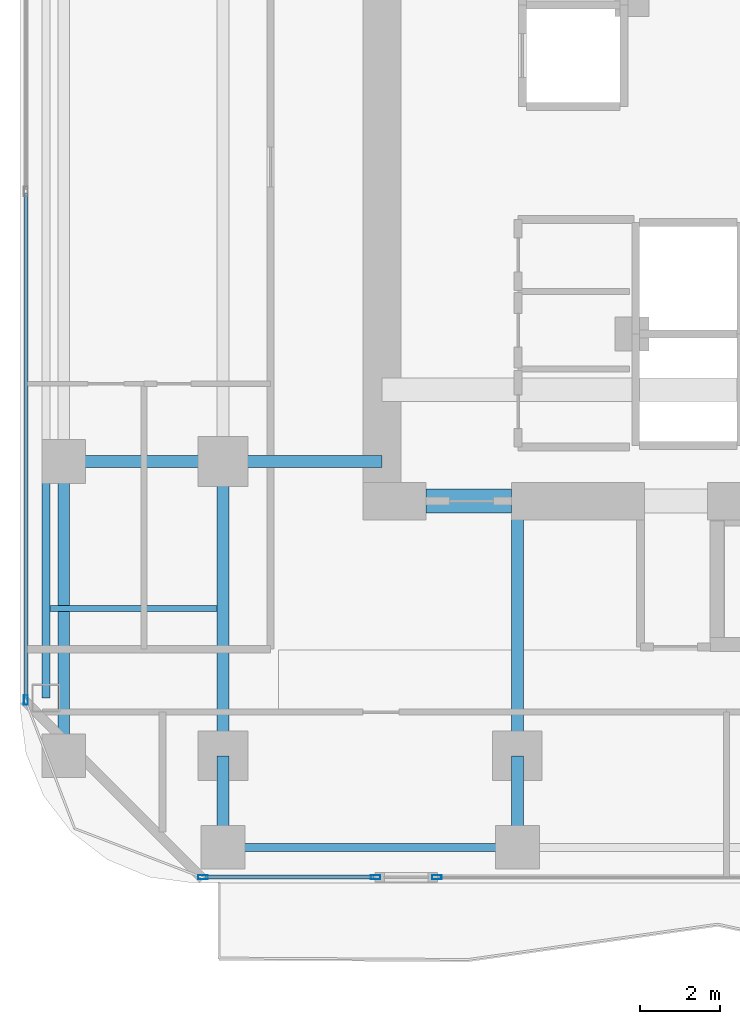
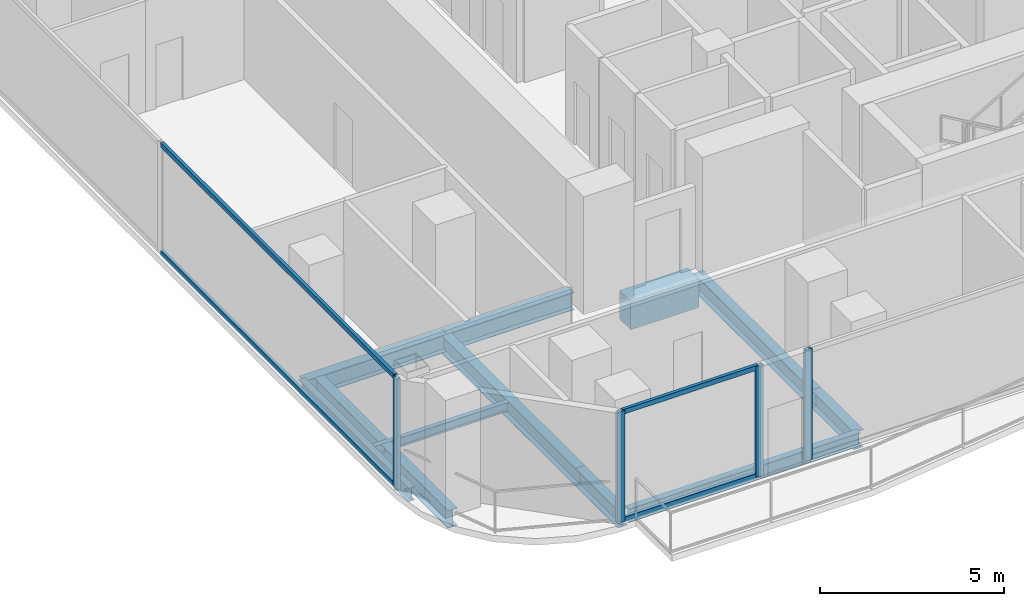
# One storey, part 2 of 27: 11 beams, 8 members, 3 elements without a shape of their own.
"""IFC4 building model written with IfcOpenShell, lengths in metres."""

from ifc_helpers import new_model, si_unit, direction, frame, origin, origin_2d, place, context, subcontext, project, spatial, rectangle, hollow_rectangle, i_section, extrude, material, layer, layer_set, material_profile, profile_set, type_object, element, aggregate, save


model = new_model("IFC4")

# Units and contexts
model_context = context("Model", 3, precision=1e-05, world=origin(), true_north=direction((0.0, 1.0)))
body_context = subcontext(model_context, "Body", "Model", "MODEL_VIEW")
ifc_project = project(units=[si_unit("LENGTHUNIT", "METRE"), si_unit("AREAUNIT", "SQUARE_METRE"), si_unit("VOLUMEUNIT", "CUBIC_METRE"), si_unit("PLANEANGLEUNIT", "RADIAN"), si_unit("MASSUNIT", "GRAM", prefix="KILO")], contexts=[model_context])

# Site, building, storey
site_placement = place(None, origin())
site = spatial("IfcSite", under=ifc_project, at=site_placement, CompositionType="ELEMENT")
building_placement = place(site_placement, origin())
building = spatial("IfcBuilding", under=site, at=building_placement, Name="Khorvyn Point Tower", CompositionType="ELEMENT")
storey_placement = place(building_placement, frame((0.0, 0.0, 125.10009765625)))
storey = spatial("IfcBuildingStorey", under=building, at=storey_placement, Name="L31", CompositionType="ELEMENT", Elevation=125.10009765625)

# Curtain wall, member
ifc_material_1 = material(Name="Anodised aluminium 6063-T6 and laminated Low-E glass", Category="aluminium")
ifc_layer = layer(ifc_material_1, 0.18994140625)
ifc_layer_set = layer_set([ifc_layer], Name="Stick-Built Acoustic Curtain Wall CW-SYS-03")
curtain_wall_type = type_object("IfcCurtainWallType", Name="Stick-Built Acoustic Curtain Wall CW-SYS-03", PredefinedType="NOTDEFINED", material=ifc_layer_set)
curtain_wall_1_placement = place(storey_placement, origin())
curtain_wall_1 = element("IfcCurtainWall", 1, at=curtain_wall_1_placement, inside=storey, type_object=curtain_wall_type, Name="Curtain Wall", PredefinedType="NOTDEFINED")
ifc_material_2 = material(Name="Anodised aluminium 6063-T6", Category="aluminium")
ifc_material_profile_1 = material_profile(ifc_material_2, hollow_rectangle(XDim=0.10009765625, YDim=0.239990234375, WallThickness=0.0048828125, at=origin_2d()))
ifc_profile_set_1 = profile_set([ifc_material_profile_1], Name="Anodised aluminium 6063-T6 ALU-MUL-100x240")
member_type_1 = type_object("IfcMemberType", Name="Anodised Aluminium 6063-T6 Mullion ALU-MUL-100x240", PredefinedType="MULLION", material=ifc_profile_set_1)
member_1_placement = place(storey_placement, frame((-9.423095703125, -17.85009765625, 0.0), z_axis=(0.0, 0.0, 1.0), x_axis=(0.0, -1.0, 0.0)))
member_1 = element("IfcMember", 2, at=member_1_placement, type_object=member_type_1, Name="Transom", PredefinedType="MULLION", context=body_context, shape_type="SweptSolid", body=[
    extrude(hollow_rectangle(XDim=0.10009765625, YDim=0.239990234375, WallThickness=0.0048828125, at=origin_2d()), origin(), (0.0, 0.0, 1.0), 3.679931640625),
])
aggregate(curtain_wall_1, [member_1])

# Curtain wall, members
curtain_wall_2_placement = place(storey_placement, origin())
curtain_wall_2 = element("IfcCurtainWall", 3, at=curtain_wall_2_placement, inside=storey, type_object=curtain_wall_type, Name="Curtain Wall", PredefinedType="NOTDEFINED")
member_2_placement = place(storey_placement, frame((-10.962890625, -17.85009765625, 0.0), z_axis=(0.0, 0.0, 1.0), x_axis=(0.0, -1.0, 0.0)))
member_2 = element("IfcMember", 4, at=member_2_placement, type_object=member_type_1, Name="Transom", PredefinedType="MULLION", context=body_context, shape_type="SweptSolid", body=[
    extrude(hollow_rectangle(XDim=0.10009765625, YDim=0.239990234375, WallThickness=0.0048828125, at=origin_2d()), origin(), (0.0, 0.0, 1.0), 3.679931640625),
])
member_3_placement = place(storey_placement, frame((-15.300048828125, -17.85009765625, 0.0), z_axis=(0.0, 0.0, 1.0), x_axis=(0.0, -1.0, 0.0)))
member_3 = element("IfcMember", 5, at=member_3_placement, type_object=member_type_1, Name="Transom", PredefinedType="MULLION", context=body_context, shape_type="SweptSolid", body=[
    extrude(hollow_rectangle(XDim=0.10009765625, YDim=0.239990234375, WallThickness=0.0048828125, at=origin_2d()), origin(), (0.0, 0.0, 1.0), 3.679931640625),
])

# Curtain wall, member
curtain_wall_3_placement = place(storey_placement, origin())
curtain_wall_3 = element("IfcCurtainWall", 6, at=curtain_wall_3_placement, inside=storey, type_object=curtain_wall_type, Name="Curtain Wall", PredefinedType="NOTDEFINED")
member_4_placement = place(storey_placement, frame((-19.75, -13.39990234375, 0.0), z_axis=(0.0, 0.0, 1.0), x_axis=(-1.0, 0.0, 0.0)))
member_4 = element("IfcMember", 7, at=member_4_placement, type_object=member_type_1, Name="Transom", PredefinedType="MULLION", context=body_context, shape_type="SweptSolid", body=[
    extrude(hollow_rectangle(XDim=0.10009765625, YDim=0.239990234375, WallThickness=0.0048828125, at=origin_2d()), origin(), (0.0, 0.0, 1.0), 3.679931640625),
])

# Member
ifc_material_profile_2 = material_profile(ifc_material_2, hollow_rectangle(XDim=0.10009765625, YDim=0.159912109375, WallThickness=0.00439453125, at=origin_2d()))
ifc_profile_set_2 = profile_set([ifc_material_profile_2], Name="Anodised aluminium 6063-T6 ALU-TRN-100x160")
member_type_2 = type_object("IfcMemberType", Name="Anodised Aluminium 6063-T6 Transom ALU-TRN-100x160", PredefinedType="USERDEFINED", material=ifc_profile_set_2)
member_5_placement = place(storey_placement, frame((-11.012939453125, -17.85009765625, 0.0498046875), z_axis=(-1.0, 0.0, 0.0), x_axis=(0.0, -1.0, 0.0)))
member_5 = element("IfcMember", 8, at=member_5_placement, type_object=member_type_2, Name="Transom", ObjectType="TRANSOM", PredefinedType="USERDEFINED", context=body_context, shape_type="SweptSolid", body=[
    extrude(hollow_rectangle(XDim=0.10009765625, YDim=0.159912109375, WallThickness=0.00439453125, at=origin_2d()), origin(), (0.0, 0.0, 1.0), 4.237060546875),
])

member_6_placement = place(storey_placement, frame((-11.012939453125, -17.85009765625, 3.6298828125), z_axis=(-1.0, 0.0, 0.0), x_axis=(0.0, -1.0, 0.0)))
member_6 = element("IfcMember", 9, at=member_6_placement, type_object=member_type_2, Name="Transom", ObjectType="TRANSOM", PredefinedType="USERDEFINED", context=body_context, shape_type="SweptSolid", body=[
    extrude(hollow_rectangle(XDim=0.10009765625, YDim=0.159912109375, WallThickness=0.00439453125, at=origin_2d()), origin(), (0.0, 0.0, 1.0), 4.237060546875),
])

aggregate(curtain_wall_2, [member_2, member_3, member_5, member_6])

member_7_placement = place(storey_placement, frame((-19.75, -13.35009765625, 0.0498046875), z_axis=(0.0, 1.0, 0.0), x_axis=(-1.0, 0.0, 0.0)))
member_7 = element("IfcMember", 10, at=member_7_placement, type_object=member_type_2, Name="Transom", ObjectType="TRANSOM", PredefinedType="USERDEFINED", context=body_context, shape_type="SweptSolid", body=[
    extrude(hollow_rectangle(XDim=0.10009765625, YDim=0.159912109375, WallThickness=0.00439453125, at=origin_2d()), origin(), (0.0, 0.0, 1.0), 12.683349609375),
])

member_8_placement = place(storey_placement, frame((-19.75, -13.35009765625, 3.6298828125), z_axis=(0.0, 1.0, 0.0), x_axis=(-1.0, 0.0, 0.0)))
member_8 = element("IfcMember", 11, at=member_8_placement, type_object=member_type_2, Name="Transom", ObjectType="TRANSOM", PredefinedType="USERDEFINED", context=body_context, shape_type="SweptSolid", body=[
    extrude(hollow_rectangle(XDim=0.10009765625, YDim=0.159912109375, WallThickness=0.00439453125, at=origin_2d()), origin(), (0.0, 0.0, 1.0), 12.683349609375),
])

aggregate(curtain_wall_3, [member_4, member_7, member_8])

# Beams
ifc_material_3 = material(Name="Concrete C50/60", Category="concrete")
ifc_material_profile_3 = material_profile(ifc_material_3, rectangle(XDim=0.60009765625, YDim=0.949951171875, at=origin_2d()))
ifc_profile_set_3 = profile_set([ifc_material_profile_3], Name="Concrete C50/60 RC600x950")
beam_type_1 = type_object("IfcBeamType", Name="Concrete C50/60 Beam RC600x950", PredefinedType="BEAM", material=ifc_profile_set_3)
beam_1_placement = place(storey_placement, frame((-9.699951171875, -8.39990234375, -0.695068359375), z_axis=(1.0, 0.0, 0.0), x_axis=(0.0, 1.0, 0.0)))
element("IfcBeam", 12, at=beam_1_placement, inside=storey, type_object=beam_type_1, Name="L31 Core Southwest Portal Coupling Beam", PredefinedType="BEAM", context=body_context, shape_type="SweptSolid", body=[
    extrude(rectangle(XDim=0.60009765625, YDim=0.949951171875, at=origin_2d()), origin(), (0.0, 0.0, 1.0), 2.14990234375),
])
ifc_material_4 = material(Name="Steel S355", Category="steel")
ifc_material_profile_4 = material_profile(ifc_material_4, i_section(OverallWidth=0.300048828125, OverallDepth=0.587890625, WebThickness=0.011962890625, FlangeThickness=0.02001953125, at=origin_2d()))
ifc_profile_set_4 = profile_set([ifc_material_profile_4], Name="Steel S355 H588x300x12x20")
beam_type_2 = type_object("IfcBeamType", Name="Steel S355 Beam H588x300x12x20", PredefinedType="BEAM", material=ifc_profile_set_4)
beam_2_placement = place(storey_placement, frame((-19.25, -7.39990234375, -0.51416015625), z_axis=(1.0, 0.0, 0.0), x_axis=(0.0, 1.0, 0.0)))
element("IfcBeam", 13, at=beam_2_placement, inside=storey, type_object=beam_type_2, Name="Beam", PredefinedType="BEAM", context=body_context, shape_type="SweptSolid", body=[
    extrude(i_section(OverallWidth=0.300048828125, OverallDepth=0.587890625, WebThickness=0.011962890625, FlangeThickness=0.02001953125, at=origin_2d()), origin(), (0.0, 0.0, 1.0), 4.449951171875),
])
beam_3_placement = place(storey_placement, frame((-14.800048828125, -7.39990234375, -0.51416015625), z_axis=(1.0, 0.0, 0.0), x_axis=(0.0, 1.0, 0.0)))
element("IfcBeam", 14, at=beam_3_placement, inside=storey, type_object=beam_type_2, Name="Beam", PredefinedType="BEAM", context=body_context, shape_type="SweptSolid", body=[
    extrude(i_section(OverallWidth=0.300048828125, OverallDepth=0.587890625, WebThickness=0.011962890625, FlangeThickness=0.02001953125, at=origin_2d()), origin(), (0.0, 0.0, 1.0), 4.0),
])
beam_4_placement = place(storey_placement, frame((-14.800048828125, -17.10009765625, -0.51416015625), z_axis=(0.0, 1.0, 0.0), x_axis=(-1.0, 0.0, 0.0)))
element("IfcBeam", 15, at=beam_4_placement, inside=storey, type_object=beam_type_2, Name="Beam", PredefinedType="BEAM", context=body_context, shape_type="SweptSolid", body=[
    extrude(i_section(OverallWidth=0.300048828125, OverallDepth=0.587890625, WebThickness=0.011962890625, FlangeThickness=0.02001953125, at=origin_2d()), origin(), (0.0, 0.0, 1.0), 2.300048828125),
])
beam_5_placement = place(storey_placement, frame((-14.800048828125, -14.800048828125, -0.51416015625), z_axis=(0.0, 1.0, 0.0), x_axis=(-1.0, 0.0, 0.0)))
element("IfcBeam", 16, at=beam_5_placement, inside=storey, type_object=beam_type_2, Name="Beam", PredefinedType="BEAM", context=body_context, shape_type="SweptSolid", body=[
    extrude(i_section(OverallWidth=0.300048828125, OverallDepth=0.587890625, WebThickness=0.011962890625, FlangeThickness=0.02001953125, at=origin_2d()), origin(), (0.0, 0.0, 1.0), 7.400146484375),
])
beam_6_placement = place(storey_placement, frame((-7.39990234375, -17.10009765625, -0.51416015625), z_axis=(0.0, 1.0, 0.0), x_axis=(-1.0, 0.0, 0.0)))
element("IfcBeam", 17, at=beam_6_placement, inside=storey, type_object=beam_type_2, Name="Beam", PredefinedType="BEAM", context=body_context, shape_type="SweptSolid", body=[
    extrude(i_section(OverallWidth=0.300048828125, OverallDepth=0.587890625, WebThickness=0.011962890625, FlangeThickness=0.02001953125, at=origin_2d()), origin(), (0.0, 0.0, 1.0), 2.300048828125),
])
beam_7_placement = place(storey_placement, frame((-7.39990234375, -14.800048828125, -0.51416015625), z_axis=(0.0, 1.0, 0.0), x_axis=(-1.0, 0.0, 0.0)))
element("IfcBeam", 18, at=beam_7_placement, inside=storey, type_object=beam_type_2, Name="Beam", PredefinedType="BEAM", context=body_context, shape_type="SweptSolid", body=[
    extrude(i_section(OverallWidth=0.300048828125, OverallDepth=0.587890625, WebThickness=0.011962890625, FlangeThickness=0.02001953125, at=origin_2d()), origin(), (0.0, 0.0, 1.0), 6.400146484375),
])
beam_8_placement = place(storey_placement, frame((-18.800048828125, -14.800048828125, -0.51416015625), z_axis=(0.0, 1.0, 0.0), x_axis=(-1.0, 0.0, 0.0)))
element("IfcBeam", 19, at=beam_8_placement, inside=storey, type_object=beam_type_2, Name="Beam", PredefinedType="BEAM", context=body_context, shape_type="SweptSolid", body=[
    extrude(i_section(OverallWidth=0.300048828125, OverallDepth=0.587890625, WebThickness=0.011962890625, FlangeThickness=0.02001953125, at=origin_2d()), origin(), (0.0, 0.0, 1.0), 7.400146484375),
])
ifc_material_profile_5 = material_profile(ifc_material_4, i_section(OverallWidth=0.14990234375, OverallDepth=0.300048828125, WebThickness=0.006591796875, FlangeThickness=0.009033203125, at=origin_2d()))
ifc_profile_set_5 = profile_set([ifc_material_profile_5], Name="Steel S355 H300x150x6.5x9")
beam_type_3 = type_object("IfcBeamType", Name="Steel S355 Joist H300x150x6.5x9", PredefinedType="JOIST", material=ifc_profile_set_5)
beam_9_placement = place(storey_placement, frame((-19.14990234375, -11.10009765625, -0.3701171875), z_axis=(1.0, 0.0, 0.0), x_axis=(0.0, 1.0, 0.0)))
element("IfcBeam", 20, at=beam_9_placement, inside=storey, type_object=beam_type_3, Name="Beam", PredefinedType="JOIST", context=body_context, shape_type="SweptSolid", body=[
    extrude(i_section(OverallWidth=0.14990234375, OverallDepth=0.300048828125, WebThickness=0.006591796875, FlangeThickness=0.009033203125, at=origin_2d()), origin(), (0.0, 0.0, 1.0), 4.199951171875),
])
ifc_material_profile_6 = material_profile(ifc_material_4, i_section(OverallWidth=0.199951171875, OverallDepth=0.449951171875, WebThickness=0.009033203125, FlangeThickness=0.013916015625, at=origin_2d()))
ifc_profile_set_6 = profile_set([ifc_material_profile_6], Name="Steel S355 H450x200x9x14")
beam_type_4 = type_object("IfcBeamType", Name="Steel S355 Spandrel H450x200x9x14", PredefinedType="SPANDREL", material=ifc_profile_set_6)
beam_10_placement = place(storey_placement, frame((-14.64990234375, -17.10009765625, -0.445068359375), z_axis=(1.0, 0.0, 0.0), x_axis=(0.0, 1.0, 0.0)))
element("IfcBeam", 21, at=beam_10_placement, inside=storey, type_object=beam_type_4, Name="Beam", PredefinedType="SPANDREL", context=body_context, shape_type="SweptSolid", body=[
    extrude(i_section(OverallWidth=0.199951171875, OverallDepth=0.449951171875, WebThickness=0.009033203125, FlangeThickness=0.013916015625, at=origin_2d()), origin(), (0.0, 0.0, 1.0), 7.25),
])
beam_11_placement = place(storey_placement, frame((-19.25, -13.35009765625, -0.445068359375), z_axis=(0.0, 1.0, 0.0), x_axis=(-1.0, 0.0, 0.0)))
element("IfcBeam", 22, at=beam_11_placement, inside=storey, type_object=beam_type_4, Name="Beam", PredefinedType="SPANDREL", context=body_context, shape_type="SweptSolid", body=[
    extrude(i_section(OverallWidth=0.199951171875, OverallDepth=0.449951171875, WebThickness=0.009033203125, FlangeThickness=0.013916015625, at=origin_2d()), origin(), (0.0, 0.0, 1.0), 5.9501953125),
])

save(model, "model.ifc")
